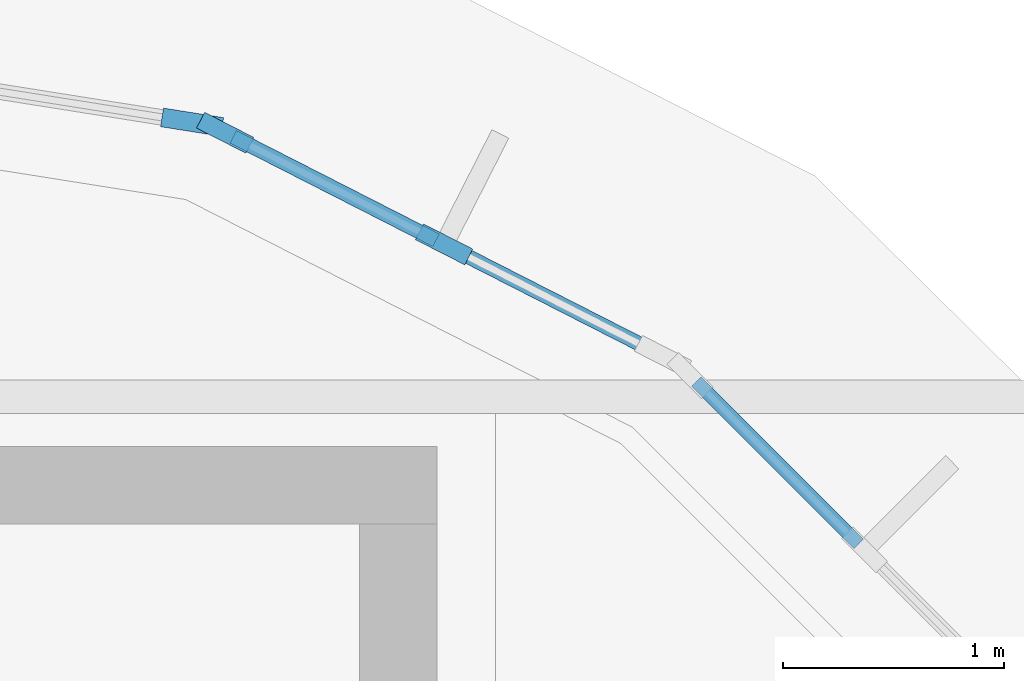
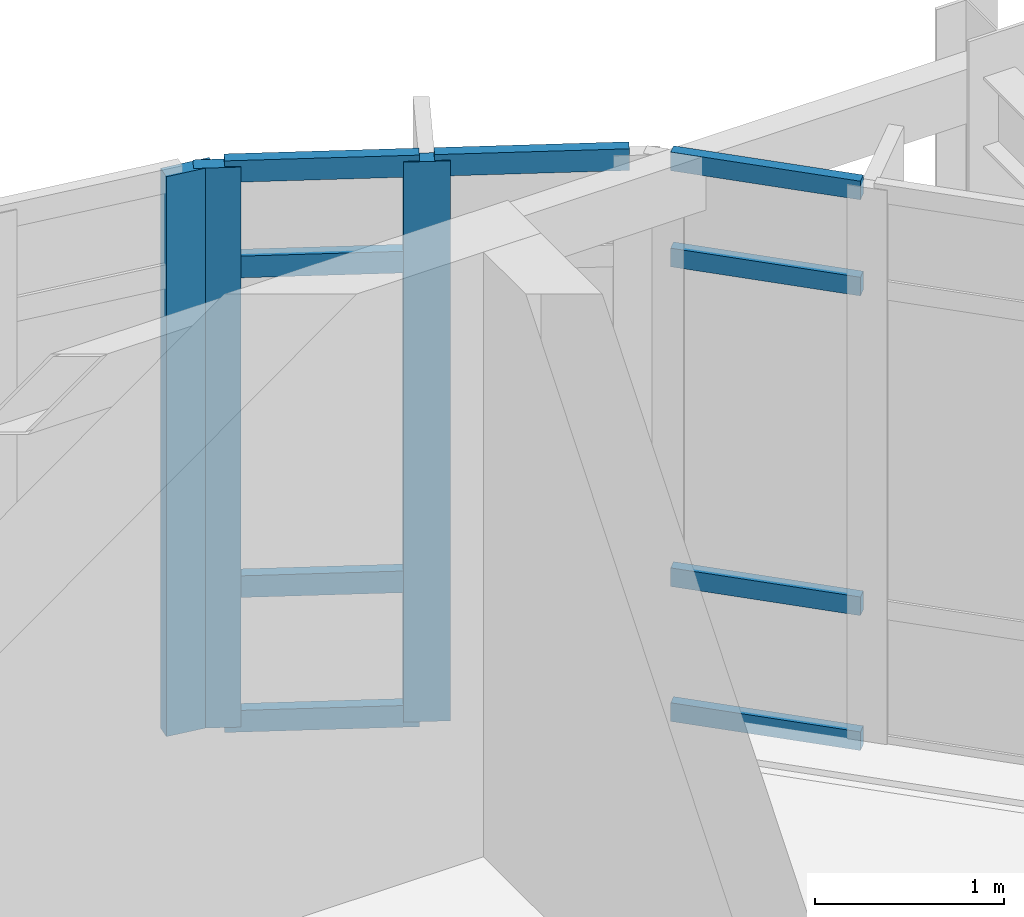
# One storey, part 51 of 105: 12 members, 3 elements without a shape of their own.
"""IFC4 building model written with IfcOpenShell, lengths in metres."""

from ifc_helpers import new_model, si_unit, direction, frame, origin, origin_2d, place, context, subcontext, project, spatial, rectangle, extrude, material, material_profile, profile_set, type_object, element, aggregate, save


model = new_model("IFC4")

# Units and contexts
model_context = context("Model", 3, precision=1e-05, world=origin(), true_north=direction((0.0, 1.0)))
body_context = subcontext(model_context, "Body", "Model", "MODEL_VIEW")
ifc_project = project(units=[si_unit("LENGTHUNIT", "METRE"), si_unit("AREAUNIT", "SQUARE_METRE"), si_unit("VOLUMEUNIT", "CUBIC_METRE"), si_unit("PLANEANGLEUNIT", "RADIAN"), si_unit("MASSUNIT", "GRAM", prefix="KILO")], contexts=[model_context])

# Site, building, storey
site_placement = place(None, origin())
site = spatial("IfcSite", under=ifc_project, at=site_placement, CompositionType="ELEMENT")
building_placement = place(site_placement, origin())
building = spatial("IfcBuilding", under=site, at=building_placement, Name="Corveleigh Park Community Centre", CompositionType="ELEMENT")
storey_placement = place(building_placement, frame((0.0, 0.0, 8.699951171875)))
storey = spatial("IfcBuildingStorey", under=building, at=storey_placement, Name="L02", CompositionType="ELEMENT", Elevation=8.699951171875)

# Curtain wall, members
ifc_material = material(Name="Anodised aluminium 6063-T6", Category="aluminium")
curtain_wall_type = type_object("IfcCurtainWallType", Name="CW-SYS-V4-L01", PredefinedType="NOTDEFINED", material=ifc_material)
curtain_wall_1_placement = place(storey_placement, origin())
curtain_wall_1 = element("IfcCurtainWall", 1, at=curtain_wall_1_placement, inside=storey, type_object=curtain_wall_type, Name="V4 L02 Curtain Wall 377", PredefinedType="NOTDEFINED")
ifc_material_profile_1 = material_profile(ifc_material, rectangle(XDim=0.080078125, YDim=0.25, at=origin_2d()), Name="ALU-M80x250", Category="aluminium")
ifc_profile_set_1 = profile_set([ifc_material_profile_1], Name="Anodised aluminium 6063-T6")
member_type_1 = type_object("IfcMemberType", Name="CWM-80x250", PredefinedType="MULLION", material=ifc_profile_set_1)
member_1_placement = place(storey_placement, frame((164.418701171875, 105.392822265625, 0.0), z_axis=(0.0, 0.0, 1.0), x_axis=(0.454153628935, 0.8909233869, 0.0)))
member_1 = element("IfcMember", 2, at=member_1_placement, type_object=member_type_1, Name="CW08 mullion 1", PredefinedType="MULLION", context=body_context, shape_type="SweptSolid", body=[
    extrude(rectangle(XDim=0.080078125, YDim=0.25, at=origin_2d()), origin(), (0.0, 0.0, 1.0), 3.612060546875),
])
member_2_placement = place(storey_placement, frame((165.407958984375, 104.888427734375, 0.0), z_axis=(0.0, 0.0, 1.0), x_axis=(0.454153628935, 0.8909233869, 0.0)))
member_2 = element("IfcMember", 3, at=member_2_placement, type_object=member_type_1, Name="CW08 mullion 2", PredefinedType="MULLION", context=body_context, shape_type="SweptSolid", body=[
    extrude(rectangle(XDim=0.080078125, YDim=0.25, at=origin_2d()), origin(), (0.0, 0.0, 1.0), 3.612060546875),
])

# Curtain wall, member
curtain_wall_2_placement = place(storey_placement, origin())
curtain_wall_2 = element("IfcCurtainWall", 4, at=curtain_wall_2_placement, inside=storey, type_object=curtain_wall_type, Name="V4 L02 Curtain Wall 378", PredefinedType="NOTDEFINED")
ifc_material_profile_2 = material_profile(ifc_material, rectangle(XDim=0.0849609375, YDim=0.27490234375, at=origin_2d()), Name="ALU-M85x275", Category="aluminium")
ifc_profile_set_2 = profile_set([ifc_material_profile_2], Name="Anodised aluminium 6063-T6")
member_type_2 = type_object("IfcMemberType", Name="CWM-85x275", PredefinedType="MULLION", material=ifc_profile_set_2)
member_3_placement = place(storey_placement, frame((164.26904296875, 105.440673828125, 0.0), z_axis=(0.0, 0.0, 1.0), x_axis=(0.156448115315, 0.987686178507, 0.0)))
member_3 = element("IfcMember", 5, at=member_3_placement, type_object=member_type_2, Name="CW08 mullion 3", PredefinedType="MULLION", context=body_context, shape_type="SweptSolid", body=[
    extrude(rectangle(XDim=0.0849609375, YDim=0.27490234375, at=origin_2d()), origin(), (0.0, 0.0, 1.0), 3.612060546875),
])
aggregate(curtain_wall_2, [member_3])

# Curtain wall, members
curtain_wall_3_placement = place(storey_placement, origin())
curtain_wall_3 = element("IfcCurtainWall", 6, at=curtain_wall_3_placement, inside=storey, type_object=curtain_wall_type, Name="V4 L02 Curtain Wall 376", PredefinedType="NOTDEFINED")
ifc_material_profile_3 = material_profile(ifc_material, rectangle(XDim=0.06005859375, YDim=0.1201171875, at=origin_2d()), Name="ALU-T60x120", Category="aluminium")
ifc_profile_set_3 = profile_set([ifc_material_profile_3], Name="Anodised aluminium 6063-T6")
member_type_3 = type_object("IfcMemberType", Name="CWT-60x120", PredefinedType="USERDEFINED", material=ifc_profile_set_3)
member_4_placement = place(storey_placement, frame((166.547119140625, 104.26904296875, 0.030029296875), z_axis=(0.706989253261, -0.707224289581, 0.0), x_axis=(0.707224289581, 0.706989253261, 0.0)))
member_4 = element("IfcMember", 7, at=member_4_placement, type_object=member_type_3, Name="CW08 transom 1.1", ObjectType="TRANSOM", PredefinedType="USERDEFINED", context=body_context, shape_type="SweptSolid", body=[
    extrude(rectangle(XDim=0.06005859375, YDim=0.1201171875, at=origin_2d()), origin(), (0.0, 0.0, 1.0), 1.038818359375),
])
member_5_placement = place(storey_placement, frame((166.547119140625, 104.26904296875, 0.900146484375), z_axis=(0.706989253261, -0.707224289581, 0.0), x_axis=(0.707224289581, 0.706989253261, 0.0)))
member_5 = element("IfcMember", 8, at=member_5_placement, type_object=member_type_3, Name="CW08 transom 1.2", ObjectType="TRANSOM", PredefinedType="USERDEFINED", context=body_context, shape_type="SweptSolid", body=[
    extrude(rectangle(XDim=0.06005859375, YDim=0.1201171875, at=origin_2d()), origin(), (0.0, 0.0, 1.0), 1.038818359375),
])
member_6_placement = place(storey_placement, frame((166.547119140625, 104.26904296875, 2.962158203125), z_axis=(0.706989253261, -0.707224289581, 0.0), x_axis=(0.707224289581, 0.706989253261, 0.0)))
member_6 = element("IfcMember", 9, at=member_6_placement, type_object=member_type_3, Name="CW08 transom 1.3", ObjectType="TRANSOM", PredefinedType="USERDEFINED", context=body_context, shape_type="SweptSolid", body=[
    extrude(rectangle(XDim=0.06005859375, YDim=0.1201171875, at=origin_2d()), origin(), (0.0, 0.0, 1.0), 1.038818359375),
])
member_7_placement = place(storey_placement, frame((166.547119140625, 104.26904296875, 3.58203125), z_axis=(0.706989253261, -0.707224289581, 0.0), x_axis=(0.707224289581, 0.706989253261, 0.0)))
member_7 = element("IfcMember", 10, at=member_7_placement, type_object=member_type_3, Name="CW08 transom 1.4", ObjectType="TRANSOM", PredefinedType="USERDEFINED", context=body_context, shape_type="SweptSolid", body=[
    extrude(rectangle(XDim=0.06005859375, YDim=0.1201171875, at=origin_2d()), origin(), (0.0, 0.0, 1.0), 1.038818359375),
])
aggregate(curtain_wall_3, [member_4, member_5, member_6, member_7])

# Member
ifc_material_profile_4 = material_profile(ifc_material, rectangle(XDim=0.06494140625, YDim=0.139892578125, at=origin_2d()), Name="ALU-T65x140", Category="aluminium")
ifc_profile_set_4 = profile_set([ifc_material_profile_4], Name="Anodised aluminium 6063-T6")
member_type_4 = type_object("IfcMemberType", Name="CWT-65x140", PredefinedType="USERDEFINED", material=ifc_profile_set_4)
member_8_placement = place(storey_placement, frame((164.454345703125, 105.374755859375, 0.032470703125), z_axis=(0.890892987232, -0.454213259714, 0.0), x_axis=(0.454213259714, 0.890892987232, 0.0)))
member_8 = element("IfcMember", 11, at=member_8_placement, type_object=member_type_4, Name="CW08 transom 1.1", ObjectType="TRANSOM", PredefinedType="USERDEFINED", context=body_context, shape_type="SweptSolid", body=[
    extrude(rectangle(XDim=0.06494140625, YDim=0.139892578125, at=origin_2d()), origin(), (0.0, 0.0, 1.0), 1.0302734375),
])

member_9_placement = place(storey_placement, frame((164.454345703125, 105.374755859375, 0.900146484375), z_axis=(0.890892987232, -0.454213259714, 0.0), x_axis=(0.454213259714, 0.890892987232, 0.0)))
member_9 = element("IfcMember", 12, at=member_9_placement, type_object=member_type_4, Name="CW08 transom 1.2", ObjectType="TRANSOM", PredefinedType="USERDEFINED", context=body_context, shape_type="SweptSolid", body=[
    extrude(rectangle(XDim=0.06494140625, YDim=0.139892578125, at=origin_2d()), origin(), (0.0, 0.0, 1.0), 1.0302734375),
])

member_10_placement = place(storey_placement, frame((164.454345703125, 105.374755859375, 2.962158203125), z_axis=(0.890892987232, -0.454213259714, 0.0), x_axis=(0.454213259714, 0.890892987232, 0.0)))
member_10 = element("IfcMember", 13, at=member_10_placement, type_object=member_type_4, Name="CW08 transom 1.3", ObjectType="TRANSOM", PredefinedType="USERDEFINED", context=body_context, shape_type="SweptSolid", body=[
    extrude(rectangle(XDim=0.06494140625, YDim=0.139892578125, at=origin_2d()), origin(), (0.0, 0.0, 1.0), 1.0302734375),
])

member_11_placement = place(storey_placement, frame((164.454345703125, 105.374755859375, 3.57958984375), z_axis=(0.890892987232, -0.454213259714, 0.0), x_axis=(0.454213259714, 0.890892987232, 0.0)))
member_11 = element("IfcMember", 14, at=member_11_placement, type_object=member_type_4, Name="CW08 transom 1.4", ObjectType="TRANSOM", PredefinedType="USERDEFINED", context=body_context, shape_type="SweptSolid", body=[
    extrude(rectangle(XDim=0.06494140625, YDim=0.139892578125, at=origin_2d()), origin(), (0.0, 0.0, 1.0), 1.0302734375),
])

member_12_placement = place(storey_placement, frame((165.443603515625, 104.870361328125, 3.57958984375), z_axis=(0.890941854698, -0.45411739842, 0.0), x_axis=(0.45411739842, 0.890941854698, 0.0)))
member_12 = element("IfcMember", 15, at=member_12_placement, type_object=member_type_4, Name="CW08 transom 2.4", ObjectType="TRANSOM", PredefinedType="USERDEFINED", context=body_context, shape_type="SweptSolid", body=[
    extrude(rectangle(XDim=0.06494140625, YDim=0.139892578125, at=origin_2d()), origin(), (0.0, 0.0, 1.0), 1.030517578125),
])

aggregate(curtain_wall_1, [member_1, member_2, member_8, member_9, member_10, member_11, member_12])

save(model, "model.ifc")
